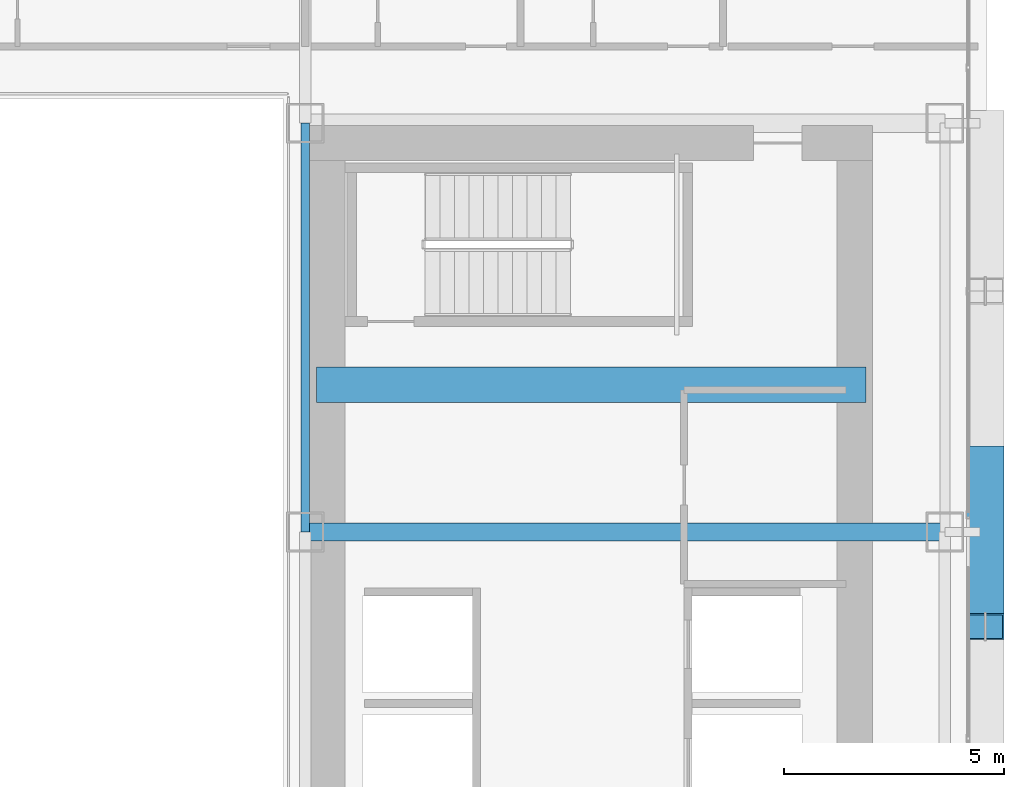
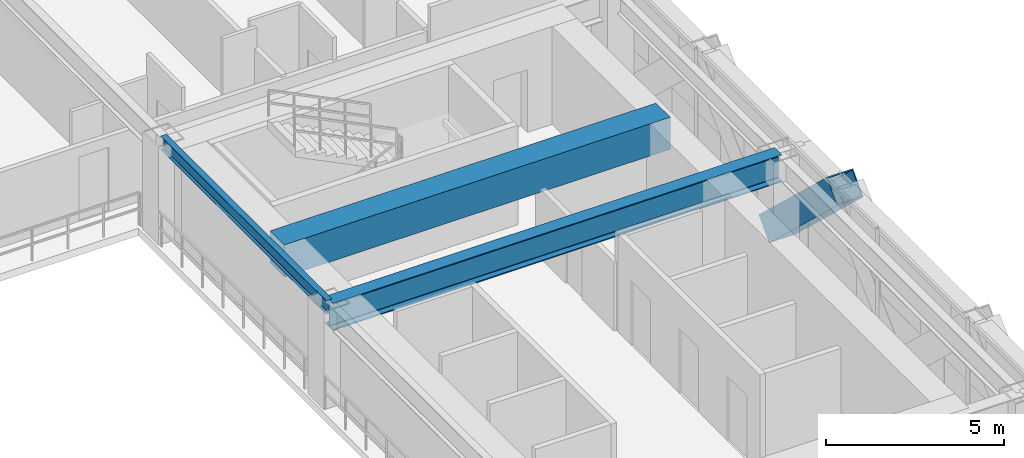
# One storey, part 14 of 35: 3 beams, 1 member.
"""IFC4 building model written with IfcOpenShell, lengths in metres."""

import ifcopenshell
import ifcopenshell.guid

model = None  # the IFC model being written
_history = None  # IfcOwnerHistory: only IFC2X3 demands one
_inside = {}  # id of a spatial element -> (the spatial element, [elements in it])
_under = {}  # id of a project, library or spatial element -> (it, [spatial elements below it])
_declared = {}  # id of a project -> (the project, [libraries it declares])
_typed = {}  # id of a type object -> (the type object, [elements of that type])
_made_of = {}  # id of a material, layer set ... -> (it, [elements and type objects made of it])


def new_model(schema):
    """Start an empty IFC model of exactly this schema.

    Asked for "IFC4X3", IfcOpenShell would pick the latest addendum, in which some entities
    have other attributes; the version numbers below select the first issue.
    IFC2X3 requires an IfcOwnerHistory on every rooted entity: one is made here for all.
    """
    global model, _history
    if schema == "IFC4X3":
        model = ifcopenshell.file(schema_version=(4, 3, 0, 0))
    else:
        model = ifcopenshell.file(schema=schema)
    _inside.clear()
    _under.clear()
    _declared.clear()
    _typed.clear()
    _made_of.clear()
    _history = None
    if model.schema == "IFC2X3":
        org = make("IfcOrganization", Name="unknown")
        user = make(
            "IfcPersonAndOrganization",
            ThePerson=make("IfcPerson", FamilyName="unknown"),
            TheOrganization=org,
        )
        app = make(
            "IfcApplication",
            ApplicationDeveloper=org,
            Version="unknown",
            ApplicationFullName="unknown",
            ApplicationIdentifier="unknown",
        )
        _history = make(
            "IfcOwnerHistory",
            OwningUser=user,
            OwningApplication=app,
            ChangeAction="ADDED",
            CreationDate=0,
        )
    return model


def make(cls, **values):
    """One entity of the class cls with the attributes given. An attribute that is None is left unset."""
    return model.create_entity(
        cls, **{name: value for name, value in values.items() if value is not None}
    )


def rooted(cls, **values):
    """An entity with a GlobalId (a new one), such as an element, a storey or a relation."""
    return make(cls, GlobalId=ifcopenshell.guid.new(), OwnerHistory=_history, **values)


def si_unit(unit_type, name, prefix=None):
    """IfcSIUnit, for example si_unit("LENGTHUNIT", "METRE", prefix="MILLI")."""
    return make("IfcSIUnit", UnitType=unit_type, Prefix=prefix, Name=name)


def assignment(units):
    """IfcUnitAssignment: the units of a project."""
    return None if units is None else make("IfcUnitAssignment", Units=units)


def point(xyz):
    """IfcCartesianPoint."""
    return None if xyz is None else make("IfcCartesianPoint", Coordinates=xyz)


def direction(xyz):
    """IfcDirection."""
    return None if xyz is None else make("IfcDirection", DirectionRatios=xyz)


def frame(location, z_axis=None, x_axis=None):
    """IfcAxis2Placement3D, a coordinate frame: its origin and axes. An axis left out is left unset."""
    return make(
        "IfcAxis2Placement3D",
        Location=point(location),
        Axis=direction(z_axis),
        RefDirection=direction(x_axis),
    )


def frame_2d(location, x_axis=None):
    """IfcAxis2Placement2D, a coordinate frame in the plane: its origin and x axis."""
    return make(
        "IfcAxis2Placement2D", Location=point(location), RefDirection=direction(x_axis)
    )


def origin():
    """The frame at (0, 0, 0) with its axes left unset."""
    return frame((0.0, 0.0, 0.0))


def origin_2d():
    """The frame at (0, 0) in the plane with its x axis left unset."""
    return frame_2d((0.0, 0.0))


def place(relative_to, where):
    """IfcLocalPlacement: puts the frame where relative to a parent placement (None: the world)."""
    return make(
        "IfcLocalPlacement", PlacementRelTo=relative_to, RelativePlacement=where
    )


def context(
    kind, dimensions, precision=None, world=None, true_north=None, identifier=None
):
    """IfcGeometricRepresentationContext, for example the 3D "Model" context."""
    return make(
        "IfcGeometricRepresentationContext",
        ContextIdentifier=identifier,
        ContextType=kind,
        CoordinateSpaceDimension=dimensions,
        Precision=precision,
        WorldCoordinateSystem=world,
        TrueNorth=true_north,
    )


def subcontext(parent, identifier, kind, view, scale=None):
    """IfcGeometricRepresentationSubContext, for example "Body" below "Model"."""
    return make(
        "IfcGeometricRepresentationSubContext",
        ContextIdentifier=identifier,
        ContextType=kind,
        ParentContext=parent,
        TargetScale=scale,
        TargetView=view,
    )


def project(units=None, contexts=None):
    """IfcProject with its units and contexts."""
    return rooted(
        "IfcProject",
        Name="project",
        RepresentationContexts=contexts,
        UnitsInContext=assignment(units),
    )


def spatial(cls, under=None, at=None, **own):
    """A site, building, storey or space (cls), placed at a placement, below another one or the project."""
    s = rooted(cls, ObjectPlacement=at, **own)
    if under is not None:
        _under.setdefault(under.id(), (under, []))[1].append(s)
    return s


def profile(cls, at=None, kind="AREA", **sizes):
    """A parametric profile (cls). Its sizes go by their IFC names, for example OverallWidth=200.0."""
    return make(cls, ProfileType=kind, Position=at, **sizes)


def rectangle(**sizes):
    """IfcRectangleProfileDef."""
    return profile("IfcRectangleProfileDef", **sizes)


def hollow_rectangle(**sizes):
    """IfcRectangleHollowProfileDef."""
    return profile("IfcRectangleHollowProfileDef", **sizes)


def i_section(**sizes):
    """IfcIShapeProfileDef."""
    return profile("IfcIShapeProfileDef", **sizes)


def extrude(swept, where, along, depth):
    """IfcExtrudedAreaSolid: the profile swept, set in the frame where, extruded along a direction by depth."""
    return make(
        "IfcExtrudedAreaSolid",
        SweptArea=swept,
        Position=where,
        ExtrudedDirection=direction(along),
        Depth=depth,
    )


def shape(context_of_items, identifier, shape_type, items):
    """IfcShapeRepresentation: the items that make up one representation, for example the "Body"."""
    return make(
        "IfcShapeRepresentation",
        ContextOfItems=context_of_items,
        RepresentationIdentifier=identifier,
        RepresentationType=shape_type,
        Items=items,
    )


def source(mapping_origin, context_of_items, identifier, shape_type, items):
    """IfcRepresentationMap: a shape defined once, which mapped items show again and again."""
    return make(
        "IfcRepresentationMap",
        MappingOrigin=mapping_origin,
        MappedRepresentation=shape(context_of_items, identifier, shape_type, items),
    )


def transform(
    local_origin,
    x_axis=None,
    y_axis=None,
    z_axis=None,
    scale=None,
    scale2=None,
    scale3=None,
    uniform=True,
):
    """IfcCartesianTransformationOperator3D, or its non-uniform kind. x_axis, y_axis, z_axis: its Axis1, 2, 3."""
    if uniform:
        return make(
            "IfcCartesianTransformationOperator3D",
            Axis1=direction(x_axis),
            Axis2=direction(y_axis),
            LocalOrigin=point(local_origin),
            Scale=scale,
            Axis3=direction(z_axis),
        )
    return make(
        "IfcCartesianTransformationOperator3DnonUniform",
        Axis1=direction(x_axis),
        Axis2=direction(y_axis),
        LocalOrigin=point(local_origin),
        Scale=scale,
        Axis3=direction(z_axis),
        Scale2=scale2,
        Scale3=scale3,
    )


def mapped(mapping_source, mapping_target):
    """IfcMappedItem: shows the shape of a source again, moved by a transform."""
    return make(
        "IfcMappedItem", MappingSource=mapping_source, MappingTarget=mapping_target
    )


def material(Name=None, Category=None):
    """IfcMaterial."""
    return make("IfcMaterial", Name=Name, Category=Category)


def material_profile(
    of_material, cross_section, Name=None, Category=None, Priority=None
):
    """IfcMaterialProfile: a cross section and its material."""
    return make(
        "IfcMaterialProfile",
        Name=Name,
        Material=of_material,
        Profile=cross_section,
        Priority=Priority,
        Category=Category,
    )


def profile_set(profiles, Name=None, composite=None):
    """IfcMaterialProfileSet."""
    return make(
        "IfcMaterialProfileSet",
        Name=Name,
        MaterialProfiles=profiles,
        CompositeProfile=composite,
    )


def made_of(thing, what):
    """Note that an element or type object is made of a material, layer set ...; save() writes the relation."""
    if what is not None:
        _made_of.setdefault(what.id(), (what, []))[1].append(thing)
    return thing


def type_object(cls, material=None, **own):
    """A type object (cls), such as IfcWallType, which elements share."""
    return made_of(rooted(cls, **own), material)


def element(
    cls,
    number,
    at=None,
    inside=None,
    cuts=None,
    type_object=None,
    material=None,
    context=None,
    identifier="Body",
    shape_type=None,
    held_by="IfcProductDefinitionShape",
    body=None,
    shapes=None,
    **own,
):
    """One element of the class cls, such as IfcWall. Its Tag is "e" and its number.

    at: its placement. inside: the storey or other place that contains it. cuts: it is an
    opening in that element (IfcRelVoidsElement). A single representation is given by context,
    identifier, shape_type and body (its items); several are given by shapes. held_by: the class
    of the entity that holds the representations. save() writes the other relations.
    """
    e = rooted(cls, Tag="e%d" % number, ObjectPlacement=at, **own)
    if body is not None:
        shapes = [shape(context, identifier, shape_type, body)]
    if shapes is not None:
        e.Representation = make(held_by, Representations=shapes)
    if inside is not None:
        _inside.setdefault(inside.id(), (inside, []))[1].append(e)
    if cuts is not None:
        rooted(
            "IfcRelVoidsElement", RelatingBuildingElement=cuts, RelatedOpeningElement=e
        )
    if type_object is not None:
        _typed.setdefault(type_object.id(), (type_object, []))[1].append(e)
    return made_of(e, material)


def aggregate(whole, parts):
    """IfcRelAggregates: a whole, such as a stair, and the parts it consists of."""
    return rooted("IfcRelAggregates", RelatingObject=whole, RelatedObjects=parts)


def save(model, path):
    """Write the relations noted so far, then the file.

    IfcRelAggregates (storeys below a building ...), IfcRelContainedInSpatialStructure (elements
    in a storey), IfcRelDefinesByType, IfcRelAssociatesMaterial and IfcRelDeclares: one each for
    every whole, place, type object, material and project.
    """
    for whole, parts in _under.values():
        aggregate(whole, parts)
    for where, things in _inside.values():
        rooted(
            "IfcRelContainedInSpatialStructure",
            RelatedElements=things,
            RelatingStructure=where,
        )
    for kind, things in _typed.values():
        rooted("IfcRelDefinesByType", RelatedObjects=things, RelatingType=kind)
    for what, things in _made_of.values():
        rooted("IfcRelAssociatesMaterial", RelatedObjects=things, RelatingMaterial=what)
    for by, libraries in _declared.values():
        rooted("IfcRelDeclares", RelatingContext=by, RelatedDefinitions=libraries)
    model.write(path)


model = new_model("IFC4")

# Units and contexts
model_context = context("Model", 3, precision=1e-05, world=origin(), true_north=direction((0.0, 1.0)))
body_context = subcontext(model_context, "Body", "Model", "MODEL_VIEW")
ifc_project = project(units=[si_unit("LENGTHUNIT", "METRE"), si_unit("AREAUNIT", "SQUARE_METRE"), si_unit("VOLUMEUNIT", "CUBIC_METRE"), si_unit("PLANEANGLEUNIT", "RADIAN"), si_unit("MASSUNIT", "GRAM", prefix="KILO")], contexts=[model_context])

# Site, building, storey
site_placement = place(None, origin())
site = spatial("IfcSite", under=ifc_project, at=site_placement, CompositionType="ELEMENT")
building_placement = place(site_placement, origin())
building = spatial("IfcBuilding", under=site, at=building_placement, Name="Ocotamira Hotel", CompositionType="ELEMENT")
storey_placement = place(building_placement, frame((0.0, 0.0, 78.0)))
storey = spatial("IfcBuildingStorey", under=building, at=storey_placement, Name="L19", CompositionType="ELEMENT", Elevation=78.0)

# Beams
ifc_material_1 = material(Name="Concrete C60/75", Category="concrete")
ifc_material_profile_1 = material_profile(ifc_material_1, rectangle(XDim=0.800048828125, YDim=1.10009765625, at=origin_2d()), Name="RC800X1100")
ifc_profile_set_1 = profile_set([ifc_material_profile_1], Name="Concrete C60/75")
beam_type_1 = type_object("IfcBeamType", Name="BM-LINK-RC800", PredefinedType="LINTEL", material=ifc_profile_set_1)
shared_shape_1 = source(origin(), body_context, "Body", "SweptSolid", [
    extrude(rectangle(XDim=0.800048828125, YDim=1.10009765625, at=origin_2d()), origin(), (0.0, 0.0, 1.0), 12.5),
])
beam_1_placement = place(storey_placement, frame((40.75, 31.5, 2.800048828125), z_axis=(1.0, 0.0, 0.0), x_axis=(0.0, 1.0, 0.0)))
element("IfcBeam", 1, at=beam_1_placement, inside=storey, type_object=beam_type_1, Name="L19 East Core Coupling Beam", PredefinedType="LINTEL", context=body_context, shape_type="MappedRepresentation", body=[
    mapped(shared_shape_1, transform((0.0, 0.0, 0.0), scale=1.0)),
])
ifc_material_2 = material(Name="Steel ASTM A992 Grade 50", Category="steel")
ifc_material_profile_2 = material_profile(ifc_material_2, i_section(OverallWidth=0.41796875, OverallDepth=0.927001953125, WebThickness=0.019287109375, FlangeThickness=0.031982421875, FilletRadius=0.02392578125, at=origin_2d()), Name="W36X231")
ifc_profile_set_2 = profile_set([ifc_material_profile_2], Name="Steel ASTM A992 Grade 50")
beam_type_2 = type_object("IfcBeamType", Name="BM-GIRD-W36X231", PredefinedType="BEAM", material=ifc_profile_set_2)
shared_shape_2 = source(origin(), body_context, "Body", "SweptSolid", [
    extrude(i_section(OverallWidth=0.41796875, OverallDepth=0.927001953125, WebThickness=0.019287109375, FlangeThickness=0.031982421875, FilletRadius=0.02392578125, at=origin_2d()), origin(), (0.0, 0.0, 1.0), 14.550048828125),
])
beam_2_placement = place(storey_placement, frame((40.5, 28.14990234375, 2.886474609375), z_axis=(1.0, 0.0, 0.0), x_axis=(0.0, 1.0, 0.0)))
element("IfcBeam", 2, at=beam_2_placement, inside=storey, type_object=beam_type_2, Name="L19 Girder Y28.15 X40.5-55.05", PredefinedType="BEAM", context=body_context, shape_type="MappedRepresentation", body=[
    mapped(shared_shape_2, transform((0.0, 0.0, 0.0), scale=1.0)),
])
ifc_material_profile_3 = material_profile(ifc_material_2, i_section(OverallWidth=0.18994140625, OverallDepth=0.45703125, WebThickness=0.009033203125, FlangeThickness=0.014404296875, FilletRadius=0.010009765625, at=origin_2d()), Name="W18X50")
ifc_profile_set_3 = profile_set([ifc_material_profile_3], Name="Steel ASTM A992 Grade 50")
beam_type_3 = type_object("IfcBeamType", Name="BM-SEC-W18X50", PredefinedType="JOIST", material=ifc_profile_set_3)
shared_shape_3 = source(origin(), body_context, "Body", "SweptSolid", [
    extrude(i_section(OverallWidth=0.18994140625, OverallDepth=0.45703125, WebThickness=0.009033203125, FlangeThickness=0.014404296875, FilletRadius=0.010009765625, at=origin_2d()), origin(), (0.0, 0.0, 1.0), 9.300048828125),
])
beam_3_placement = place(storey_placement, frame((40.5, 28.14990234375, 3.12158203125), z_axis=(0.0, 1.0, 0.0), x_axis=(-1.0, 0.0, 0.0)))
element("IfcBeam", 3, at=beam_3_placement, inside=storey, type_object=beam_type_3, Name="L19 Beam X40.5 Y28.15-37.45", PredefinedType="JOIST", context=body_context, shape_type="MappedRepresentation", body=[
    mapped(shared_shape_3, transform((0.0, 0.0, 0.0), scale=1.0)),
])

# Member
ifc_material_3 = material(Name="Pale-metal coated steel ASTM A913 Grade 65", Category="steel")
ifc_material_profile_4 = material_profile(ifc_material_3, hollow_rectangle(XDim=0.85009765625, YDim=0.85009765625, WallThickness=0.035888671875, at=origin_2d()), Name="BOX850X850X36")
ifc_profile_set_4 = profile_set([ifc_material_profile_4], Name="Pale-metal coated steel ASTM A913 Grade 65")
member_type = type_object("IfcMemberType", Name="MEM-EXO-BOX850", PredefinedType="BRACE", material=ifc_profile_set_4)
shared_shape_4 = source(origin(), body_context, "Body", "SweptSolid", [
    extrude(hollow_rectangle(XDim=0.85009765625, YDim=0.85009765625, WallThickness=0.035888671875, at=origin_2d()), origin(), (0.0, 0.0, 1.0), 5.24658203125),
])
member_placement = place(storey_placement, frame((55.969970703125, 29.816650390625, -0.5), z_axis=(0.0, -0.727442733726, 0.686168397078), x_axis=(1.0, 0.0, 0.0)))
element("IfcMember", 4, at=member_placement, inside=storey, type_object=member_type, Name="L19 Exoskeleton Diagrid E1.2", PredefinedType="BRACE", context=body_context, shape_type="MappedRepresentation", body=[
    mapped(shared_shape_4, transform((0.0, 0.0, 0.0), scale=1.0)),
])

save(model, "model.ifc")
